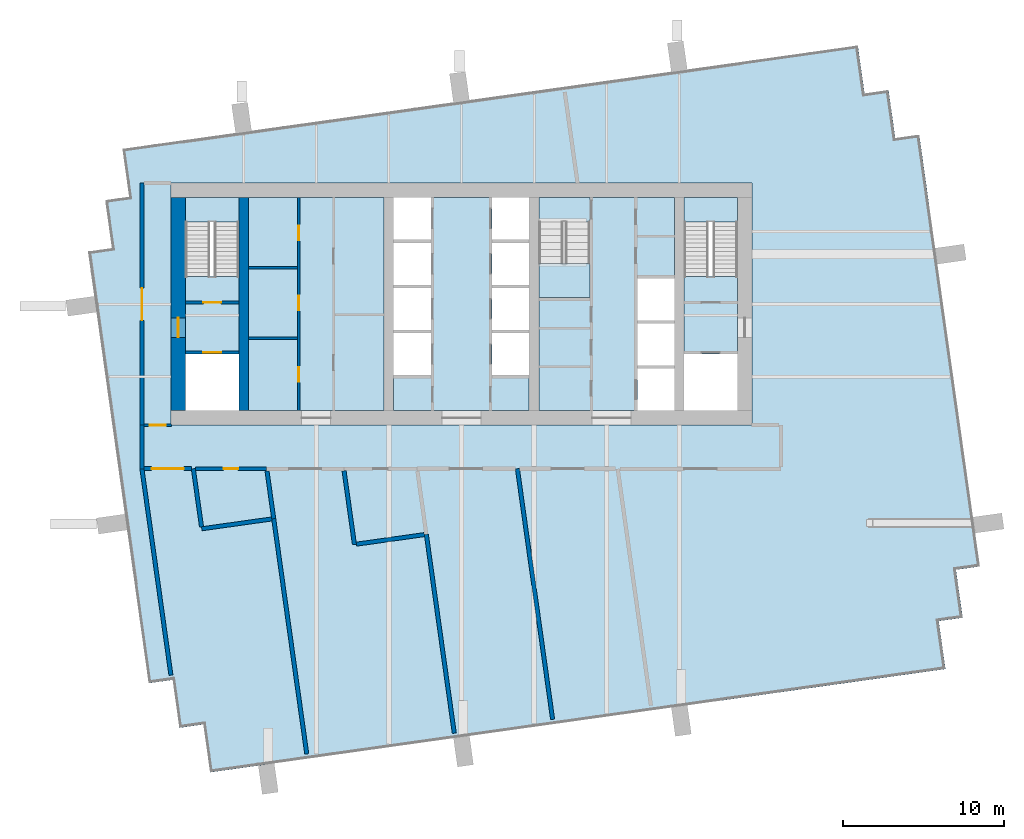
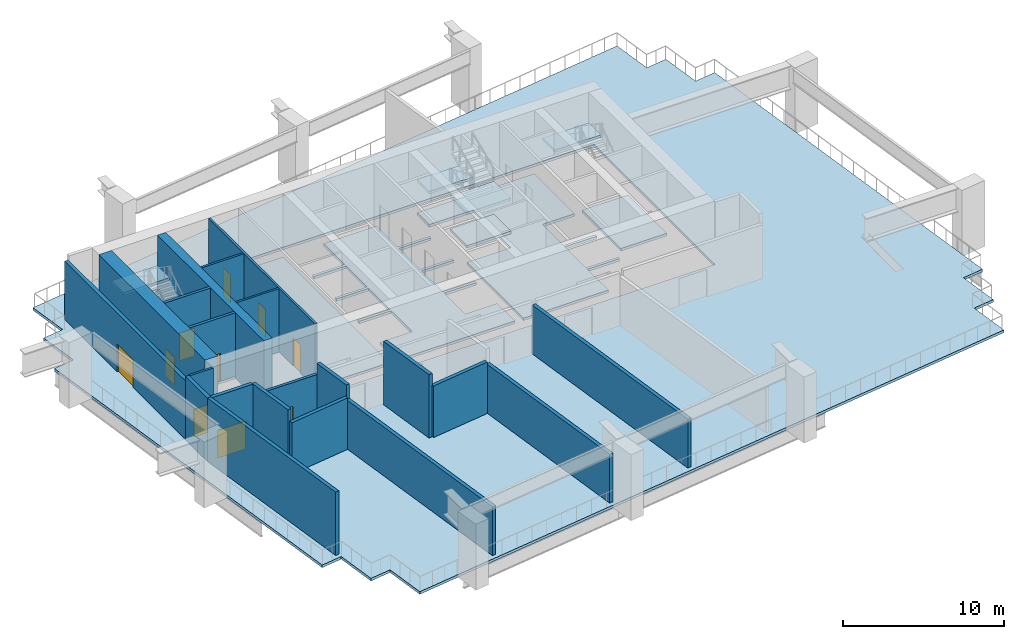
# One storey, part 2 of 10: 21 walls, 11 slabs, 10 doors, 10 openings, 3 elements without a shape of their own.
"""IFC4 building model written with IfcOpenShell, lengths in metres."""

from ifc_helpers import new_model, si_unit, direction, frame, frame_2d, origin, place, context, subcontext, project, spatial, polyline, rectangle, outline, extrude, material, layer, layer_set, type_object, element, fill, aggregate, save


model = new_model("IFC4")

# Units and contexts
model_context = context("Model", 3, precision=1e-05, world=origin(), true_north=direction((0.0, 1.0)))
body_context = subcontext(model_context, "Body", "Model", "MODEL_VIEW")
ifc_project = project(units=[si_unit("LENGTHUNIT", "METRE"), si_unit("AREAUNIT", "SQUARE_METRE"), si_unit("VOLUMEUNIT", "CUBIC_METRE"), si_unit("PLANEANGLEUNIT", "RADIAN"), si_unit("MASSUNIT", "GRAM", prefix="KILO")], contexts=[model_context])

# Site, building, storey
site_placement = place(None, origin())
site = spatial("IfcSite", under=ifc_project, at=site_placement, CompositionType="ELEMENT")
building_placement = place(site_placement, origin())
building = spatial("IfcBuilding", under=site, at=building_placement, Name="Rattan Terrace Tower", CompositionType="ELEMENT")
storey_placement = place(building_placement, frame((0.0, 0.0, 244.699951171875)))
storey = spatial("IfcBuildingStorey", under=building, at=storey_placement, Name="L56", CompositionType="ELEMENT", Elevation=244.699951171875)

# Stair, slab
ifc_material_1 = material(Name="Concrete C40/50", Category="concrete")
stair_type = type_object("IfcStairType", Name="Core exit stair 1500", PredefinedType="HALF_TURN_STAIR", material=ifc_material_1)
stair_1_placement = place(storey_placement, origin())
stair_1 = element("IfcStair", 1, at=stair_1_placement, inside=storey, type_object=stair_type, Name="L56 exit stair 1", PredefinedType="HALF_TURN_STAIR")
ifc_material_2 = material(Name="Concrete C40/50", Category="concrete")
ifc_layer_1 = layer(ifc_material_2, 0.199951171875)
ifc_layer_set_1 = layer_set([ifc_layer_1], Name="Core exit stair landing")
slab_type_1 = type_object("IfcSlabType", Name="Core exit stair landing", PredefinedType="LANDING", material=ifc_layer_set_1)
slab_1_placement = place(storey_placement, frame((0.0, 0.0, 2.300048828125)))
slab_1 = element("IfcSlab", 2, at=slab_1_placement, type_object=slab_type_1, Name="S1 landing 1", PredefinedType="LANDING", context=body_context, shape_type="SweptSolid", body=[
    extrude(outline(polyline([(-13.800048828125, 5.080078125), (-13.800048828125, 6.60009765625), (-17.10009765625, 6.60009765625), (-17.10009765625, 5.080078125), (-13.800048828125, 5.080078125)])), origin(), (0.0, 0.0, 1.0), 0.199951171875),
])
aggregate(stair_1, [slab_1])

stair_2_placement = place(storey_placement, origin())
stair_2 = element("IfcStair", 3, at=stair_2_placement, inside=storey, type_object=stair_type, Name="L56 exit stair 2", PredefinedType="HALF_TURN_STAIR")
slab_2_placement = place(storey_placement, frame((0.0, 0.0, 2.300048828125)))
slab_2 = element("IfcSlab", 4, at=slab_2_placement, type_object=slab_type_1, Name="S2 landing 1", PredefinedType="LANDING", context=body_context, shape_type="SweptSolid", body=[
    extrude(outline(polyline([(17.10009765625, 5.080078125), (17.10009765625, 6.60009765625), (13.800048828125, 6.60009765625), (13.800048828125, 5.080078125), (17.10009765625, 5.080078125)])), origin(), (0.0, 0.0, 1.0), 0.199951171875),
])
aggregate(stair_2, [slab_2])

# Stair, slabs
stair_3_placement = place(storey_placement, origin())
stair_3 = element("IfcStair", 5, at=stair_3_placement, inside=storey, type_object=stair_type, Name="L56 exit stair 3", PredefinedType="HALF_TURN_STAIR")
slab_3_placement = place(storey_placement, frame((0.0, 0.0, 1.050048828125)))
slab_3 = element("IfcSlab", 6, at=slab_3_placement, type_object=slab_type_1, Name="S3 landing 1", PredefinedType="LANDING", context=body_context, shape_type="SweptSolid", body=[
    extrude(outline(polyline([(4.800048828125, 2.52001953125), (4.800048828125, 0.39990234375), (7.949951171875, 0.39990234375), (7.949951171875, 2.52001953125), (4.800048828125, 2.52001953125)])), origin(), (0.0, 0.0, 1.0), 0.199951171875),
])
slab_4_placement = place(storey_placement, frame((0.0, 0.0, 2.300048828125)))
slab_4 = element("IfcSlab", 7, at=slab_4_placement, type_object=slab_type_1, Name="S3 landing 2", PredefinedType="LANDING", context=body_context, shape_type="SweptSolid", body=[
    extrude(outline(polyline([(4.800048828125, 6.60009765625), (4.800048828125, 5.10009765625), (7.949951171875, 5.10009765625), (7.949951171875, 6.60009765625), (4.800048828125, 6.60009765625)])), origin(), (0.0, 0.0, 1.0), 0.199951171875),
])
slab_5_placement = place(storey_placement, frame((0.0, 0.0, 3.550048828125)))
slab_5 = element("IfcSlab", 8, at=slab_5_placement, type_object=slab_type_1, Name="S3 landing 3", PredefinedType="LANDING", context=body_context, shape_type="SweptSolid", body=[
    extrude(outline(polyline([(4.800048828125, 2.52001953125), (4.800048828125, 0.39990234375), (7.949951171875, 0.39990234375), (7.949951171875, 2.52001953125), (4.800048828125, 2.52001953125)])), origin(), (0.0, 0.0, 1.0), 0.199951171875),
])
aggregate(stair_3, [slab_3, slab_4, slab_5])

# Slabs
ifc_material_3 = material(Name="Concrete C35/45", Category="concrete")
ifc_layer_2 = layer(ifc_material_3, 0.199951171875)
ifc_layer_set_2 = layer_set([ifc_layer_2], Name="Frame refuge floor slab 200")
slab_type_2 = type_object("IfcSlabType", Name="Frame refuge floor slab 200", PredefinedType="FLOOR", material=ifc_layer_set_2)
slab_6_placement = place(storey_placement, frame((0.0, 0.0, -0.199951171875)))
element("IfcSlab", 9, at=slab_6_placement, inside=storey, type_object=slab_type_2, Name="Floor slab", PredefinedType="FLOOR", context=body_context, shape_type="SweptSolid", body=[
    extrude(outline(polyline([(-12.591064453125, -28.593994140625), (27.01904296875, -23.027099609375), (29.989990234375, -22.60888671875), (29.572998046875, -19.637939453125), (31.05810546875, -19.429931640625), (30.639892578125, -16.458984375), (32.1259765625, -16.25), (28.367919921875, 10.487060546875), (26.883056640625, 10.278076171875), (26.465087890625, 13.2490234375), (24.97998046875, 13.0400390625), (24.56201171875, 16.010986328125), (21.591064453125, 15.593994140625), (-18.01904296875, 10.027099609375), (-20.989990234375, 9.60888671875), (-20.572998046875, 6.637939453125), (-22.05810546875, 6.429931640625), (-21.639892578125, 3.458984375), (-23.1259765625, 3.25), (-19.367919921875, -23.487060546875), (-17.883056640625, -23.278076171875), (-17.465087890625, -26.2490234375), (-15.97998046875, -26.0400390625), (-15.56201171875, -29.010986328125), (-12.591064453125, -28.593994140625)]), holes=[polyline([(-18.0, -7.5), (18.0, -7.5), (18.0, -6.60009765625), (18.0, 6.60009765625), (18.0, 7.5), (-18.0, 7.5), (-18.0, 6.60009765625), (-18.0, -6.60009765625), (-18.0, -7.5)])]), origin(), (0.0, 0.0, 1.0), 0.199951171875),
])
slab_7_placement = place(storey_placement, frame((0.0, 0.0, -0.199951171875)))
element("IfcSlab", 10, at=slab_7_placement, inside=storey, type_object=slab_type_2, Name="Floor slab", PredefinedType="FLOOR", context=body_context, shape_type="SweptSolid", body=[
    extrude(outline(polyline([(13.199951171875, 6.60009765625), (4.800048828125, 6.60009765625), (4.800048828125, 5.090087890625), (7.949951171875, 5.090087890625), (7.949951171875, 0.39990234375), (4.800048828125, 0.39990234375), (4.800048828125, -6.60009765625), (10.89990234375, -6.60009765625), (10.89990234375, -4.0), (13.199951171875, -4.0), (13.199951171875, -3.800048828125), (10.89990234375, -3.800048828125), (10.89990234375, -1.199951171875), (13.199951171875, -1.199951171875), (13.199951171875, -1.0), (10.89990234375, -1.0), (10.89990234375, 1.60009765625), (13.199951171875, 1.60009765625), (13.199951171875, 6.60009765625)])), origin(), (0.0, 0.0, 1.0), 0.199951171875),
])
slab_8_placement = place(storey_placement, frame((0.0, 0.0, -0.199951171875)))
element("IfcSlab", 11, at=slab_8_placement, inside=storey, type_object=slab_type_2, Name="Floor slab", PredefinedType="FLOOR", context=body_context, shape_type="SweptSolid", body=[
    extrude(outline(polyline([(1.89990234375, 6.60009765625), (-1.89990234375, 6.60009765625), (-1.89990234375, 4.0), (-4.199951171875, 4.0), (-4.199951171875, 3.800048828125), (-1.89990234375, 3.800048828125), (-1.89990234375, 1.199951171875), (-4.199951171875, 1.199951171875), (-4.199951171875, 1.0), (-1.89990234375, 1.0), (-1.89990234375, -1.60009765625), (-4.199951171875, -1.60009765625), (-4.199951171875, -1.800048828125), (-1.89990234375, -1.800048828125), (-1.89990234375, -4.39990234375), (-4.199951171875, -4.39990234375), (-4.199951171875, -6.60009765625), (4.199951171875, -6.60009765625), (4.199951171875, -4.39990234375), (1.89990234375, -4.39990234375), (1.89990234375, -1.800048828125), (4.199951171875, -1.800048828125), (4.199951171875, -1.60009765625), (1.89990234375, -1.60009765625), (1.89990234375, 1.0), (4.199951171875, 1.0), (4.199951171875, 1.199951171875), (1.89990234375, 1.199951171875), (1.89990234375, 3.800048828125), (4.199951171875, 3.800048828125), (4.199951171875, 4.0), (1.89990234375, 4.0), (1.89990234375, 6.60009765625)])), origin(), (0.0, 0.0, 1.0), 0.199951171875),
])
slab_9_placement = place(storey_placement, frame((0.0, 0.0, -0.199951171875)))
element("IfcSlab", 12, at=slab_9_placement, inside=storey, type_object=slab_type_2, Name="Floor slab", PredefinedType="FLOOR", context=body_context, shape_type="SweptSolid", body=[
    extrude(outline(polyline([(-17.10009765625, -3.10009765625), (-13.800048828125, -3.10009765625), (-13.800048828125, 1.7099609375), (-17.10009765625, 1.7099609375), (-17.10009765625, -3.10009765625)])), origin(), (0.0, 0.0, 1.0), 0.199951171875),
])
slab_10_placement = place(storey_placement, frame((0.0, 0.0, -0.199951171875)))
element("IfcSlab", 13, at=slab_10_placement, inside=storey, type_object=slab_type_2, Name="Floor slab", PredefinedType="FLOOR", context=body_context, shape_type="SweptSolid", body=[
    extrude(outline(polyline([(-4.800048828125, -6.60009765625), (-4.800048828125, 6.60009765625), (-13.199951171875, 6.60009765625), (-13.199951171875, -6.60009765625), (-4.800048828125, -6.60009765625)])), origin(), (0.0, 0.0, 1.0), 0.199951171875),
])
slab_11_placement = place(storey_placement, frame((0.0, 0.0, -0.199951171875)))
element("IfcSlab", 14, at=slab_11_placement, inside=storey, type_object=slab_type_2, Name="Floor slab", PredefinedType="FLOOR", context=body_context, shape_type="SweptSolid", body=[
    extrude(outline(polyline([(13.800048828125, -3.10009765625), (17.10009765625, -3.10009765625), (17.10009765625, 1.7099609375), (13.800048828125, 1.7099609375), (13.800048828125, -3.10009765625)])), origin(), (0.0, 0.0, 1.0), 0.199951171875),
])

# Wall, openings, doors
ifc_material_4 = material(Name="Gypsum board partition")
ifc_layer_3 = layer(ifc_material_4, 0.14990234375)
ifc_layer_set_3 = layer_set([ifc_layer_3], Name="Core partition 150")
wall_type_1 = type_object("IfcWallType", Name="Core partition 150", PredefinedType="PARTITIONING", material=ifc_layer_set_3)
wall_1_placement = place(storey_placement, frame((-10.074951171875, -6.60009765625, 0.0), z_axis=(0.0, 0.0, 1.0), x_axis=(0.0, 1.0, 0.0)))
wall_1 = element("IfcWall", 15, at=wall_1_placement, inside=storey, type_object=wall_type_1, Name="Core room wall", PredefinedType="PARTITIONING", context=body_context, shape_type="SweptSolid", body=[
    extrude(rectangle(XDim=13.2001953125, YDim=0.14990234375, at=frame_2d((6.60009765625, 0.0))), origin(), (0.0, 0.0, 1.0), 4.800048828125),
])
opening_1_placement = place(wall_1_placement, frame((1.7939453125, 0.0, 0.0)))
opening_1 = element("IfcOpeningElement", 16, at=opening_1_placement, cuts=wall_1, Name="Opening L56-D005", PredefinedType="OPENING", context=body_context, shape_type="SweptSolid", body=[
    extrude(rectangle(XDim=0.89990234375, YDim=2.10009765625, at=frame_2d((0.449951171875, 1.050048828125))), frame((0.0, 0.08544921875, 0.0), z_axis=(0.0, -1.0, 0.0), x_axis=(1.0, 0.0, 0.0)), (0.0, 0.0, 1.0), 0.1708984375),
])
opening_2_placement = place(wall_1_placement, frame((6.216064453125, 0.0, 0.0)))
opening_2 = element("IfcOpeningElement", 17, at=opening_2_placement, cuts=wall_1, Name="Opening L56-D006", PredefinedType="OPENING", context=body_context, shape_type="SweptSolid", body=[
    extrude(rectangle(XDim=0.89990234375, YDim=2.10009765625, at=frame_2d((0.449951171875, 1.050048828125))), frame((0.0, 0.08544921875, 0.0), z_axis=(0.0, -1.0, 0.0), x_axis=(1.0, 0.0, 0.0)), (0.0, 0.0, 1.0), 0.1708984375),
])
opening_3_placement = place(wall_1_placement, frame((10.572021484375, 0.0, 0.0)))
opening_3 = element("IfcOpeningElement", 18, at=opening_3_placement, cuts=wall_1, Name="Opening L56-D007", PredefinedType="OPENING", context=body_context, shape_type="SweptSolid", body=[
    extrude(rectangle(XDim=0.89990234375, YDim=2.10009765625, at=frame_2d((0.449951171875, 1.050048828125))), frame((0.0, 0.08544921875, 0.0), z_axis=(0.0, -1.0, 0.0), x_axis=(1.0, 0.0, 0.0)), (0.0, 0.0, 1.0), 0.1708984375),
])
ifc_material_5 = material(Name="Hollow-metal fire door leaf")
door_type_1 = type_object("IfcDoorType", Name="Core service room door 900", OperationType="NOTDEFINED", PredefinedType="DOOR", material=ifc_material_5)
door_1_placement = place(opening_1_placement, origin())
door_1 = element("IfcDoor", 19, at=door_1_placement, inside=storey, type_object=door_type_1, Name="Door L56-D005", OperationType="SINGLE_SWING_RIGHT", OverallHeight=2.10009765625, OverallWidth=0.89990234375, PredefinedType="DOOR", context=body_context, shape_type="SweptSolid", body=[
    extrude(rectangle(XDim=0.89990234375, YDim=2.10009765625, at=frame_2d((0.449951171875, 1.050048828125))), frame((0.0, 0.02490234375, 0.0), z_axis=(0.0, -1.0, 0.0), x_axis=(1.0, 0.0, 0.0)), (0.0, 0.0, 1.0), 0.050048828125),
])
fill(opening_1, door_1)
door_2_placement = place(opening_2_placement, origin())
door_2 = element("IfcDoor", 20, at=door_2_placement, inside=storey, type_object=door_type_1, Name="Door L56-D006", OperationType="SINGLE_SWING_LEFT", OverallHeight=2.10009765625, OverallWidth=0.89990234375, PredefinedType="DOOR", context=body_context, shape_type="SweptSolid", body=[
    extrude(rectangle(XDim=0.89990234375, YDim=2.10009765625, at=frame_2d((0.449951171875, 1.050048828125))), frame((0.0, 0.02490234375, 0.0), z_axis=(0.0, -1.0, 0.0), x_axis=(1.0, 0.0, 0.0)), (0.0, 0.0, 1.0), 0.050048828125),
])
fill(opening_2, door_2)
door_3_placement = place(opening_3_placement, origin())
door_3 = element("IfcDoor", 21, at=door_3_placement, inside=storey, type_object=door_type_1, Name="Door L56-D007", OperationType="SINGLE_SWING_RIGHT", OverallHeight=2.10009765625, OverallWidth=0.89990234375, PredefinedType="DOOR", context=body_context, shape_type="SweptSolid", body=[
    extrude(rectangle(XDim=0.89990234375, YDim=2.10009765625, at=frame_2d((0.449951171875, 1.050048828125))), frame((0.0, 0.02490234375, 0.0), z_axis=(0.0, -1.0, 0.0), x_axis=(1.0, 0.0, 0.0)), (0.0, 0.0, 1.0), 0.050048828125),
])
fill(opening_3, door_3)

# Walls
for number, where, z_axis, x_axis, name in (
    (22, (-13.199951171875, -2.112060546875, 0.0), (0.0, 0.0, 1.0), (1.0, 0.0, 0.0), "Core room wall"),
    (23, (-13.199951171875, 2.243896484375, 0.0), (0.0, 0.0, 1.0), (1.0, 0.0, 0.0), "Core room wall"),
):
    element("IfcWall", number, at=place(storey_placement, frame(where, z_axis=z_axis, x_axis=x_axis)), inside=storey, type_object=wall_type_1, Name=name, PredefinedType="PARTITIONING", context=body_context, shape_type="SweptSolid", body=[
        extrude(rectangle(XDim=3.050048828125, YDim=0.14990234375, at=frame_2d((1.52490234375, 0.0))), origin(), (0.0, 0.0, 1.0), 4.800048828125),
    ])

# Wall, opening, door
ifc_material_6 = material(Name="Gypsum board partition")
ifc_layer_4 = layer(ifc_material_6, 0.199951171875)
ifc_layer_set_4 = layer_set([ifc_layer_4], Name="Core partition 200")
wall_type_2 = type_object("IfcWallType", Name="Core partition 200", PredefinedType="PARTITIONING", material=ifc_layer_set_4)
wall_2_placement = place(storey_placement, frame((-17.10009765625, -3.0, 0.0), z_axis=(0.0, 0.0, 1.0), x_axis=(1.0, 0.0, 0.0)))
wall_2 = element("IfcWall", 24, at=wall_2_placement, inside=storey, type_object=wall_type_2, Name="Fire-fighting lobby wall", PredefinedType="PARTITIONING", context=body_context, shape_type="SweptSolid", body=[
    extrude(rectangle(XDim=3.300048828125, YDim=0.199951171875, at=frame_2d((1.64990234375, 0.0))), origin(), (0.0, 0.0, 1.0), 4.800048828125),
])
opening_4_placement = place(wall_2_placement, frame((1.10009765625, 0.0, 0.0)))
opening_4 = element("IfcOpeningElement", 25, at=opening_4_placement, cuts=wall_2, Name="Opening L56-LD-FF1", PredefinedType="OPENING", context=body_context, shape_type="SweptSolid", body=[
    extrude(rectangle(XDim=1.10009765625, YDim=2.10009765625, at=frame_2d((0.550048828125, 1.050048828125))), frame((0.0, 0.110595703125, 0.0), z_axis=(0.0, -1.0, 0.0), x_axis=(1.0, 0.0, 0.0)), (0.0, 0.0, 1.0), 0.220947265625),
])
ifc_material_7 = material(Name="Brushed stainless landing door panel")
door_type_2 = type_object("IfcDoorType", Name="Core lift landing door 1100", OperationType="DOUBLE_DOOR_SLIDING", PredefinedType="DOOR", material=ifc_material_7)
door_4_placement = place(opening_4_placement, origin())
door_4 = element("IfcDoor", 26, at=door_4_placement, inside=storey, type_object=door_type_2, Name="Door L56-LD-FF1", OperationType="DOUBLE_DOOR_SLIDING", OverallHeight=2.10009765625, OverallWidth=1.10009765625, PredefinedType="DOOR", context=body_context, shape_type="SweptSolid", body=[
    extrude(rectangle(XDim=1.10009765625, YDim=2.10009765625, at=frame_2d((0.550048828125, 1.050048828125))), frame((0.0, 0.02490234375, 0.0), z_axis=(0.0, -1.0, 0.0), x_axis=(1.0, 0.0, 0.0)), (0.0, 0.0, 1.0), 0.050048828125),
])
fill(opening_4, door_4)

wall_3_placement = place(storey_placement, frame((-17.10009765625, 0.10009765625, 0.0), z_axis=(0.0, 0.0, 1.0), x_axis=(1.0, 0.0, 0.0)))
wall_3 = element("IfcWall", 27, at=wall_3_placement, inside=storey, type_object=wall_type_2, Name="Stair enclosure wall", PredefinedType="PARTITIONING", context=body_context, shape_type="SweptSolid", body=[
    extrude(rectangle(XDim=3.300048828125, YDim=0.199951171875, at=frame_2d((1.64990234375, 0.0))), origin(), (0.0, 0.0, 1.0), 4.800048828125),
])
opening_5_placement = place(wall_3_placement, frame((1.10009765625, 0.0, 0.0)))
opening_5 = element("IfcOpeningElement", 28, at=opening_5_placement, cuts=wall_3, Name="Opening L56-D002", PredefinedType="OPENING", context=body_context, shape_type="SweptSolid", body=[
    extrude(rectangle(XDim=1.10009765625, YDim=2.10009765625, at=frame_2d((0.550048828125, 1.050048828125))), frame((0.0, 0.110595703125, 0.0), z_axis=(0.0, -1.0, 0.0), x_axis=(1.0, 0.0, 0.0)), (0.0, 0.0, 1.0), 0.220947265625),
])
ifc_material_8 = material(Name="Hollow-metal fire door leaf")
door_type_3 = type_object("IfcDoorType", Name="Core stair door 1100", OperationType="NOTDEFINED", PredefinedType="DOOR", material=ifc_material_8)
door_5_placement = place(opening_5_placement, origin())
door_5 = element("IfcDoor", 29, at=door_5_placement, inside=storey, type_object=door_type_3, Name="Door L56-D002", OperationType="SINGLE_SWING_LEFT", OverallHeight=2.10009765625, OverallWidth=1.10009765625, PredefinedType="DOOR", context=body_context, shape_type="SweptSolid", body=[
    extrude(rectangle(XDim=1.10009765625, YDim=2.10009765625, at=frame_2d((0.550048828125, 1.050048828125))), frame((0.0, 0.02490234375, 0.0), z_axis=(0.0, -1.0, 0.0), x_axis=(1.0, 0.0, 0.0)), (0.0, 0.0, 1.0), 0.050048828125),
])
fill(opening_5, door_5)

ifc_material_9 = material(Name="Concrete C50/60", Category="concrete")
ifc_layer_5 = layer(ifc_material_9, 0.89990234375)
ifc_layer_set_5 = layer_set([ifc_layer_5], Name="Core ring wall 900 C50/60")
wall_type_3 = type_object("IfcWallType", Name="Core ring wall 900 C50/60", PredefinedType="SHEAR", material=ifc_layer_set_5)
wall_4_placement = place(storey_placement, frame((-17.550048828125, -6.60009765625, -0.199951171875), z_axis=(0.0, 0.0, 1.0), x_axis=(0.0, 1.0, 0.0)))
wall_4 = element("IfcWall", 30, at=wall_4_placement, inside=storey, type_object=wall_type_3, Name="Rear core wall west", PredefinedType="SHEAR", context=body_context, shape_type="SweptSolid", body=[
    extrude(rectangle(XDim=13.2001953125, YDim=0.89990234375, at=frame_2d((6.60009765625, 0.0))), origin(), (0.0, 0.0, 1.0), 5.0),
])
opening_6_placement = place(wall_4_placement, frame((4.550048828125, 0.0, 0.199951171875)))
opening_6 = element("IfcOpeningElement", 31, at=opening_6_placement, cuts=wall_4, Name="Opening L56-D001", PredefinedType="OPENING", context=body_context, shape_type="SweptSolid", body=[
    extrude(rectangle(XDim=1.199951171875, YDim=2.10009765625, at=frame_2d((0.60009765625, 1.050048828125))), frame((0.0, 0.46044921875, 0.0), z_axis=(0.0, -1.0, 0.0), x_axis=(1.0, 0.0, 0.0)), (0.0, 0.0, 1.0), 0.9208984375),
])
ifc_material_10 = material(Name="Hollow-metal fire door leaf")
door_type_4 = type_object("IfcDoorType", Name="Core fire-fighting lobby door 1200", OperationType="NOTDEFINED", PredefinedType="DOOR", material=ifc_material_10)
door_6_placement = place(opening_6_placement, origin())
door_6 = element("IfcDoor", 32, at=door_6_placement, inside=storey, type_object=door_type_4, Name="Door L56-D001", OperationType="SINGLE_SWING_RIGHT", OverallHeight=2.10009765625, OverallWidth=1.199951171875, PredefinedType="DOOR", context=body_context, shape_type="SweptSolid", body=[
    extrude(rectangle(XDim=1.199951171875, YDim=2.10009765625, at=frame_2d((0.60009765625, 1.050048828125))), frame((0.0, 0.02490234375, 0.0), z_axis=(0.0, -1.0, 0.0), x_axis=(1.0, 0.0, 0.0)), (0.0, 0.0, 1.0), 0.050048828125),
])
fill(opening_6, door_6)

# Wall
ifc_material_11 = material(Name="Concrete C50/60", Category="concrete")
ifc_layer_6 = layer(ifc_material_11, 0.60009765625)
ifc_layer_set_6 = layer_set([ifc_layer_6], Name="Core spine wall 600 C50/60")
wall_type_4 = type_object("IfcWallType", Name="Core spine wall 600 C50/60", PredefinedType="SHEAR", material=ifc_layer_set_6)
wall_5_placement = place(storey_placement, frame((-13.5, -6.60009765625, -0.199951171875), z_axis=(0.0, 0.0, 1.0), x_axis=(0.0, 1.0, 0.0)))
element("IfcWall", 33, at=wall_5_placement, inside=storey, type_object=wall_type_4, Name="Core spine wall 1", PredefinedType="SHEAR", context=body_context, shape_type="SweptSolid", body=[
    extrude(rectangle(XDim=13.2001953125, YDim=0.60009765625, at=frame_2d((6.60009765625, 0.0))), origin(), (0.0, 0.0, 1.0), 5.0),
])

# Wall, opening, door
ifc_material_12 = material(Name="Concrete block wall, plastered", Category="concrete")
ifc_layer_7 = layer(ifc_material_12, 0.199951171875)
ifc_layer_set_7 = layer_set([ifc_layer_7], Name="Floors Plant Wall 200")
wall_type_5 = type_object("IfcWallType", Name="Floors Plant Wall 200", PredefinedType="PARTITIONING", material=ifc_layer_set_7)
wall_6_placement = place(storey_placement, frame((-12.089111328125, -10.198974609375, 0.0), z_axis=(0.0, 0.0, 1.0), x_axis=(-1.0, 0.0, 0.0)))
wall_6 = element("IfcWall", 34, at=wall_6_placement, inside=storey, type_object=wall_type_5, Name="pt-L56-002", PredefinedType="PARTITIONING", context=body_context, shape_type="SweptSolid", body=[
    extrude(rectangle(XDim=4.385009765625, YDim=0.199951171875, at=frame_2d((2.1923828125, 0.0))), origin(), (0.0, 0.0, 1.0), 3.900146484375),
])
opening_7_placement = place(wall_6_placement, frame((1.742919921875, 0.0, 0.0)))
opening_7 = element("IfcOpeningElement", 35, at=opening_7_placement, cuts=wall_6, Name="Opening L56-D101", PredefinedType="OPENING", context=body_context, shape_type="SweptSolid", body=[
    extrude(rectangle(XDim=0.89990234375, YDim=2.10009765625, at=frame_2d((0.449951171875, 1.050048828125))), frame((0.0, 0.110595703125, 0.0), z_axis=(0.0, -1.0, 0.0), x_axis=(1.0, 0.0, 0.0)), (0.0, 0.0, 1.0), 0.220947265625),
])
ifc_material_13 = material(Name="Steel fire door set", Category="steel")
door_type_5 = type_object("IfcDoorType", Name="Floors Fire Door FD60 900x2100", OperationType="NOTDEFINED", PredefinedType="DOOR", material=ifc_material_13)
door_7_placement = place(opening_7_placement, origin())
door_7 = element("IfcDoor", 36, at=door_7_placement, inside=storey, type_object=door_type_5, Name="d-L56-101", OperationType="SINGLE_SWING_RIGHT", OverallHeight=2.10009765625, OverallWidth=0.89990234375, PredefinedType="DOOR", context=body_context, shape_type="SweptSolid", body=[
    extrude(rectangle(XDim=0.89990234375, YDim=2.10009765625, at=frame_2d((0.449951171875, 1.050048828125))), frame((0.0, 0.02490234375, 0.0), z_axis=(0.0, -1.0, 0.0), x_axis=(1.0, 0.0, 0.0)), (0.0, 0.0, 1.0), 0.050048828125),
])
fill(opening_7, door_7)

ifc_material_14 = material(Name="Reinforced concrete wall, painted", Category="concrete")
ifc_layer_8 = layer(ifc_material_14, 0.25)
ifc_layer_set_8 = layer_set([ifc_layer_8], Name="Floors Refuge Wall 250")
wall_type_6 = type_object("IfcWallType", Name="Floors Refuge Wall 250", PredefinedType="PARTITIONING", material=ifc_layer_set_8)
wall_7_placement = place(storey_placement, frame((-16.738037109375, -10.197021484375, 0.0), z_axis=(0.0, 0.0, 1.0), x_axis=(-1.0, 0.0, 0.0)))
wall_7 = element("IfcWall", 37, at=wall_7_placement, inside=storey, type_object=wall_type_6, Name="pt-L56-003", PredefinedType="PARTITIONING", context=body_context, shape_type="SweptSolid", body=[
    extrude(rectangle(XDim=2.9189453125, YDim=0.25, at=frame_2d((1.45947265625, 0.0))), origin(), (0.0, 0.0, 1.0), 4.800048828125),
])
opening_8_placement = place(wall_7_placement, frame((0.458984375, 0.0, 0.0)))
opening_8 = element("IfcOpeningElement", 38, at=opening_8_placement, cuts=wall_7, Name="Opening L56-D102", PredefinedType="OPENING", context=body_context, shape_type="SweptSolid", body=[
    extrude(rectangle(XDim=2.0, YDim=2.10009765625, at=frame_2d((1.0, 1.050048828125))), frame((0.0, 0.135498046875, 0.0), z_axis=(0.0, -1.0, 0.0), x_axis=(1.0, 0.0, 0.0)), (0.0, 0.0, 1.0), 0.27099609375),
])
ifc_material_15 = material(Name="Steel fire door set", Category="steel")
door_type_6 = type_object("IfcDoorType", Name="Floors Plant Equipment Door Pair FD120 2000x2100", OperationType="NOTDEFINED", PredefinedType="DOOR", material=ifc_material_15)
door_8_placement = place(opening_8_placement, origin())
door_8 = element("IfcDoor", 39, at=door_8_placement, inside=storey, type_object=door_type_6, Name="d-L56-102", OperationType="DOUBLE_DOOR_SINGLE_SWING", OverallHeight=2.10009765625, OverallWidth=2.0, PredefinedType="DOOR", context=body_context, shape_type="SweptSolid", body=[
    extrude(rectangle(XDim=2.0, YDim=2.10009765625, at=frame_2d((1.0, 1.050048828125))), frame((0.0, 0.02490234375, 0.0), z_axis=(0.0, -1.0, 0.0), x_axis=(1.0, 0.0, 0.0)), (0.0, 0.0, 1.0), 0.050048828125),
])
fill(opening_8, door_8)

# Wall
wall_8_placement = place(storey_placement, frame((-19.801025390625, -10.199951171875, 0.0), z_axis=(0.0, 0.0, 1.0), x_axis=(0.0, 1.0, 0.0)))
element("IfcWall", 40, at=wall_8_placement, inside=storey, type_object=wall_type_6, Name="pt-L56-011", PredefinedType="PARTITIONING", context=body_context, shape_type="SweptSolid", body=[
    extrude(rectangle(XDim=2.699951171875, YDim=0.25, at=frame_2d((1.35009765625, 0.0))), origin(), (0.0, 0.0, 1.0), 4.800048828125),
])

# Wall, opening, door
wall_9_placement = place(storey_placement, frame((-19.800048828125, -7.5, 0.0), z_axis=(0.0, 0.0, 1.0), x_axis=(0.0, 1.0, 0.0)))
wall_9 = element("IfcWall", 41, at=wall_9_placement, inside=storey, type_object=wall_type_6, Name="pt-L56-012", PredefinedType="PARTITIONING", context=body_context, shape_type="SweptSolid", body=[
    extrude(rectangle(XDim=15.0, YDim=0.25, at=frame_2d((7.5, 0.0))), origin(), (0.0, 0.0, 1.0), 4.43994140625),
])
opening_9_placement = place(wall_9_placement, frame((6.5, 0.0, 0.0)))
opening_9 = element("IfcOpeningElement", 42, at=opening_9_placement, cuts=wall_9, Name="Opening L56-D108", PredefinedType="OPENING", context=body_context, shape_type="SweptSolid", body=[
    extrude(rectangle(XDim=2.0, YDim=2.10009765625, at=frame_2d((1.0, 1.050048828125))), frame((0.0, 0.135498046875, 0.0), z_axis=(0.0, -1.0, 0.0), x_axis=(1.0, 0.0, 0.0)), (0.0, 0.0, 1.0), 0.27099609375),
])
door_9_placement = place(opening_9_placement, origin())
door_9 = element("IfcDoor", 43, at=door_9_placement, inside=storey, type_object=door_type_6, Name="d-L56-108", OperationType="DOUBLE_DOOR_SINGLE_SWING", OverallHeight=2.10009765625, OverallWidth=2.0, PredefinedType="DOOR", context=body_context, shape_type="SweptSolid", body=[
    extrude(rectangle(XDim=2.0, YDim=2.10009765625, at=frame_2d((1.0, 1.050048828125))), frame((0.0, 0.02490234375, 0.0), z_axis=(0.0, -1.0, 0.0), x_axis=(1.0, 0.0, 0.0)), (0.0, 0.0, 1.0), 0.050048828125),
])
fill(opening_9, door_9)

# Walls
wall_10_placement = place(storey_placement, frame((-16.10888671875, -13.794921875, 0.0), z_axis=(0.0, 0.0, 1.0), x_axis=(-0.139142514574, 0.990272366896, 0.0)))
element("IfcWall", 44, at=wall_10_placement, inside=storey, type_object=wall_type_6, Name="pt-L56-014", PredefinedType="PARTITIONING", context=body_context, shape_type="SweptSolid", body=[
    extrude(rectangle(XDim=3.63037109375, YDim=0.25, at=frame_2d((1.815185546875, 0.0))), origin(), (0.0, 0.0, 1.0), 4.800048828125),
])
wall_11_placement = place(storey_placement, frame((-11.758056640625, -13.31005859375, 0.0), z_axis=(0.0, 0.0, 1.0), x_axis=(-0.990270519577, -0.139155661248, 0.0)))
element("IfcWall", 45, at=wall_11_placement, inside=storey, type_object=wall_type_6, Name="pt-L56-015", PredefinedType="PARTITIONING", context=body_context, shape_type="SweptSolid", body=[
    extrude(rectangle(XDim=4.37548828125, YDim=0.25, at=frame_2d((2.187744140625, 0.0))), origin(), (0.0, 0.0, 1.0), 3.900146484375),
])
wall_12_placement = place(storey_placement, frame((-12.049072265625, -10.342041015625, 0.0), z_axis=(0.0, 0.0, 1.0), x_axis=(0.139230988623, -0.990259931436, 0.0)))
element("IfcWall", 46, at=wall_12_placement, inside=storey, type_object=wall_type_6, Name="pt-L56-016", PredefinedType="PARTITIONING", context=body_context, shape_type="SweptSolid", body=[
    extrude(rectangle(XDim=2.98095703125, YDim=0.25, at=frame_2d((1.490478515625, 0.0))), origin(), (0.0, 0.0, 1.0), 4.800048828125),
])
wall_13_placement = place(storey_placement, frame((-11.634033203125, -13.2939453125, 0.0), z_axis=(0.0, 0.0, 1.0), x_axis=(0.139154438601, -0.990270691386, 0.0)))
element("IfcWall", 47, at=wall_13_placement, inside=storey, type_object=wall_type_6, Name="pt-L56-017", PredefinedType="PARTITIONING", context=body_context, shape_type="SweptSolid", body=[
    extrude(rectangle(XDim=14.71826171875, YDim=0.25, at=frame_2d((7.359130859375, 0.0))), origin(), (0.0, 0.0, 1.0), 3.699951171875),
])
wall_14_placement = place(storey_placement, frame((-18.001953125, -22.991943359375, 0.0), z_axis=(0.0, 0.0, 1.0), x_axis=(-0.139195756807, 0.990264884406, 0.0)))
element("IfcWall", 48, at=wall_14_placement, inside=storey, type_object=wall_type_6, Name="pt-L56-018", PredefinedType="PARTITIONING", context=body_context, shape_type="SweptSolid", body=[
    extrude(rectangle(XDim=12.917724609375, YDim=0.25, at=frame_2d((6.458984375, 0.0))), origin(), (0.0, 0.0, 1.0), 4.800048828125),
])
wall_15_placement = place(storey_placement, frame((-6.632080078125, -14.888916015625, 0.0), z_axis=(0.0, 0.0, 1.0), x_axis=(-0.139262947739, 0.990255437444, 0.0)))
element("IfcWall", 49, at=wall_15_placement, inside=storey, type_object=wall_type_6, Name="pt-L56-019", PredefinedType="PARTITIONING", context=body_context, shape_type="SweptSolid", body=[
    extrude(rectangle(XDim=4.60888671875, YDim=0.25, at=frame_2d((2.304443359375, 0.0))), origin(), (0.0, 0.0, 1.0), 4.800048828125),
])
wall_16_placement = place(storey_placement, frame((-2.301025390625, -14.280029296875, 0.0), z_axis=(0.0, 0.0, 1.0), x_axis=(-0.990247168547, -0.139321732637, 0.0)))
element("IfcWall", 50, at=wall_16_placement, inside=storey, type_object=wall_type_6, Name="pt-L56-020", PredefinedType="PARTITIONING", context=body_context, shape_type="SweptSolid", body=[
    extrude(rectangle(XDim=4.24951171875, YDim=0.25, at=frame_2d((2.124755859375, 0.0))), origin(), (0.0, 0.0, 1.0), 3.900146484375),
])
wall_17_placement = place(storey_placement, frame((-2.177001953125, -14.262939453125, 0.0), z_axis=(0.0, 0.0, 1.0), x_axis=(0.139198609883, -0.990264483361, 0.0)))
element("IfcWall", 51, at=wall_17_placement, inside=storey, type_object=wall_type_6, Name="pt-L56-022", PredefinedType="PARTITIONING", context=body_context, shape_type="SweptSolid", body=[
    extrude(rectangle(XDim=12.442138671875, YDim=0.25, at=frame_2d((6.22119140625, 0.0))), origin(), (0.0, 0.0, 1.0), 3.699951171875),
])
wall_18_placement = place(storey_placement, frame((3.467041015625, -10.199951171875, 0.0), z_axis=(0.0, 0.0, 1.0), x_axis=(0.13915391479, -0.990270764992, 0.0)))
element("IfcWall", 52, at=wall_18_placement, inside=storey, type_object=wall_type_6, Name="pt-L56-023", PredefinedType="PARTITIONING", context=body_context, shape_type="SweptSolid", body=[
    extrude(rectangle(XDim=15.6796875, YDim=0.25, at=frame_2d((7.83984375, 0.0))), origin(), (0.0, 0.0, 1.0), 3.699951171875),
])

# Wall, opening, door
ifc_material_16 = material(Name="Gypsum board partition on steel studs, fire rated", Category="steel")
ifc_layer_9 = layer(ifc_material_16, 0.14990234375)
ifc_layer_set_9 = layer_set([ifc_layer_9], Name="Floors Tenancy Wall 150")
wall_type_7 = type_object("IfcWallType", Name="Floors Tenancy Wall 150", PredefinedType="PARTITIONING", material=ifc_layer_set_9)
wall_19_placement = place(storey_placement, frame((-19.675048828125, -7.5, 0.0), z_axis=(0.0, 0.0, 1.0), x_axis=(1.0, 0.0, 0.0)))
wall_19 = element("IfcWall", 53, at=wall_19_placement, inside=storey, type_object=wall_type_7, Name="pt-L56-001", PredefinedType="PARTITIONING", context=body_context, shape_type="SweptSolid", body=[
    extrude(rectangle(XDim=1.695068359375, YDim=0.14990234375, at=frame_2d((0.84765625, 0.0))), origin(), (0.0, 0.0, 1.0), 4.800048828125),
])
opening_10_placement = place(wall_19_placement, frame((0.347900390625, 0.0, 0.0)))
opening_10 = element("IfcOpeningElement", 54, at=opening_10_placement, cuts=wall_19, Name="Opening L56-D100", PredefinedType="OPENING", context=body_context, shape_type="SweptSolid", body=[
    extrude(rectangle(XDim=1.0, YDim=2.10009765625, at=frame_2d((0.5, 1.050048828125))), frame((0.0, 0.08544921875, 0.0), z_axis=(0.0, -1.0, 0.0), x_axis=(1.0, 0.0, 0.0)), (0.0, 0.0, 1.0), 0.1708984375),
])
ifc_material_17 = material(Name="Steel fire door set", Category="steel")
door_type_7 = type_object("IfcDoorType", Name="Floors Fire Door FD30S 1000x2100", OperationType="NOTDEFINED", PredefinedType="DOOR", material=ifc_material_17)
door_10_placement = place(opening_10_placement, origin())
door_10 = element("IfcDoor", 55, at=door_10_placement, inside=storey, type_object=door_type_7, Name="d-L56-100", OperationType="SINGLE_SWING_LEFT", OverallHeight=2.10009765625, OverallWidth=1.0, PredefinedType="DOOR", context=body_context, shape_type="SweptSolid", body=[
    extrude(rectangle(XDim=1.0, YDim=2.10009765625, at=frame_2d((0.5, 1.050048828125))), frame((0.0, 0.02490234375, 0.0), z_axis=(0.0, -1.0, 0.0), x_axis=(1.0, 0.0, 0.0)), (0.0, 0.0, 1.0), 0.050048828125),
])
fill(opening_10, door_10)

save(model, "model.ifc")
